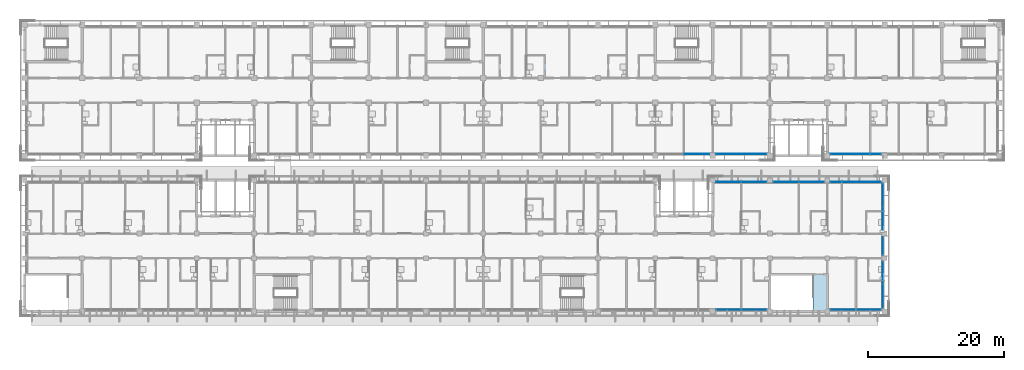
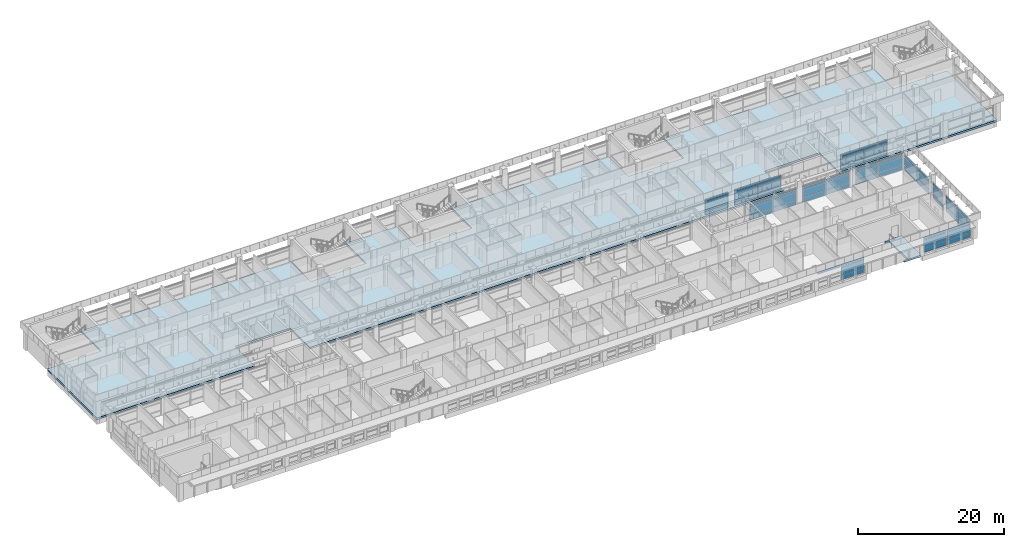
# One storey, part 24 of 71: 58 plates, 2 slabs, 11 elements without a shape of their own.
"""IFC4 building model written with IfcOpenShell, lengths in metres."""

from ifc_helpers import new_model, si_unit, direction, frame, origin, origin_2d, place, context, subcontext, project, spatial, polyline, rectangle, outline, extrude, material, layer, layer_set, type_object, element, aggregate, save


model = new_model("IFC4")

# Units and contexts
model_context = context("Model", 3, precision=1e-05, world=origin(), true_north=direction((0.0, 1.0)))
body_context = subcontext(model_context, "Body", "Model", "MODEL_VIEW")
ifc_project = project(units=[si_unit("LENGTHUNIT", "METRE"), si_unit("AREAUNIT", "SQUARE_METRE"), si_unit("VOLUMEUNIT", "CUBIC_METRE"), si_unit("PLANEANGLEUNIT", "RADIAN"), si_unit("MASSUNIT", "GRAM", prefix="KILO")], contexts=[model_context])

# Site, building, storey
site_placement = place(None, origin())
site = spatial("IfcSite", under=ifc_project, at=site_placement, CompositionType="ELEMENT")
building_placement = place(site_placement, origin())
building = spatial("IfcBuilding", under=site, at=building_placement, Name="Bougainvillea Quay General Hospital", CompositionType="ELEMENT")
storey_placement = place(building_placement, frame((0.0, 0.0, 24.89990234375)))
storey = spatial("IfcBuildingStorey", under=building, at=storey_placement, Name="L05", CompositionType="ELEMENT", Elevation=24.89990234375)

# Curtain wall, plates
ifc_material_1 = material(Name="Aluminium curtain wall system, powder-coated glazed", Category="aluminium")
curtain_wall_type_1 = type_object("IfcCurtainWallType", Name="Unitised curtain wall CW-3730", PredefinedType="NOTDEFINED", material=ifc_material_1)
curtain_wall_1_placement = place(storey_placement, origin())
curtain_wall_1 = element("IfcCurtainWall", 1, at=curtain_wall_1_placement, inside=storey, type_object=curtain_wall_type_1, Name="CW-4200 07", PredefinedType="NOTDEFINED")
ifc_material_2 = material(Name="Insulated aluminium spandrel panel, white", Category="aluminium")
ifc_layer_1 = layer(ifc_material_2, 0.028076171875)
ifc_layer_set_1 = layer_set([ifc_layer_1], Name="Insulated aluminium spandrel panel, white")
plate_type_1 = type_object("IfcPlateType", Name="Insulated spandrel panel white 28", PredefinedType="CURTAIN_PANEL", material=ifc_layer_set_1)
plate_1_placement = place(storey_placement, frame((140.449951171875, 140.64990234375, 0.06005859375), z_axis=(0.0, 0.0, 1.0), x_axis=(1.0, 0.0, 0.0)))
plate_1 = element("IfcPlate", 2, at=plate_1_placement, type_object=plate_type_1, Name="CW-4200 spandrel panel 2.1", PredefinedType="CURTAIN_PANEL", context=body_context, shape_type="SweptSolid", body=[
    extrude(rectangle(XDim=3.639892578125, YDim=0.028076171875, at=origin_2d()), origin(), (0.0, 0.0, 1.0), 0.81005859375),
])
plate_2_placement = place(storey_placement, frame((140.449951171875, 140.64990234375, 2.2802734375), z_axis=(0.0, 0.0, 1.0), x_axis=(1.0, 0.0, 0.0)))
plate_2 = element("IfcPlate", 3, at=plate_2_placement, type_object=plate_type_1, Name="CW-4200 spandrel panel 2.3", PredefinedType="CURTAIN_PANEL", context=body_context, shape_type="SweptSolid", body=[
    extrude(rectangle(XDim=3.639892578125, YDim=0.028076171875, at=origin_2d()), origin(), (0.0, 0.0, 1.0), 0.409912109375),
])

curtain_wall_2_placement = place(storey_placement, origin())
curtain_wall_2 = element("IfcCurtainWall", 4, at=curtain_wall_2_placement, inside=storey, type_object=curtain_wall_type_1, Name="CW-4200 08", PredefinedType="NOTDEFINED")
plate_3_placement = place(storey_placement, frame((145.14990234375, 140.64990234375, 0.06005859375), z_axis=(0.0, 0.0, 1.0), x_axis=(1.0, 0.0, 0.0)))
plate_3 = element("IfcPlate", 5, at=plate_3_placement, type_object=plate_type_1, Name="CW-4200 spandrel panel 1.1", PredefinedType="CURTAIN_PANEL", context=body_context, shape_type="SweptSolid", body=[
    extrude(rectangle(XDim=3.639892578125, YDim=0.028076171875, at=origin_2d()), origin(), (0.0, 0.0, 1.0), 0.81005859375),
])
plate_4_placement = place(storey_placement, frame((145.14990234375, 140.64990234375, 2.2802734375), z_axis=(0.0, 0.0, 1.0), x_axis=(1.0, 0.0, 0.0)))
plate_4 = element("IfcPlate", 6, at=plate_4_placement, type_object=plate_type_1, Name="CW-4200 spandrel panel 1.3", PredefinedType="CURTAIN_PANEL", context=body_context, shape_type="SweptSolid", body=[
    extrude(rectangle(XDim=3.639892578125, YDim=0.028076171875, at=origin_2d()), origin(), (0.0, 0.0, 1.0), 0.409912109375),
])
plate_5_placement = place(storey_placement, frame((148.85009765625, 140.64990234375, 0.06005859375), z_axis=(0.0, 0.0, 1.0), x_axis=(1.0, 0.0, 0.0)))
plate_5 = element("IfcPlate", 7, at=plate_5_placement, type_object=plate_type_1, Name="CW-4200 spandrel panel 2.1", PredefinedType="CURTAIN_PANEL", context=body_context, shape_type="SweptSolid", body=[
    extrude(rectangle(XDim=3.639892578125, YDim=0.028076171875, at=origin_2d()), origin(), (0.0, 0.0, 1.0), 0.81005859375),
])
plate_6_placement = place(storey_placement, frame((148.85009765625, 140.64990234375, 2.2802734375), z_axis=(0.0, 0.0, 1.0), x_axis=(1.0, 0.0, 0.0)))
plate_6 = element("IfcPlate", 8, at=plate_6_placement, type_object=plate_type_1, Name="CW-4200 spandrel panel 2.3", PredefinedType="CURTAIN_PANEL", context=body_context, shape_type="SweptSolid", body=[
    extrude(rectangle(XDim=3.639892578125, YDim=0.028076171875, at=origin_2d()), origin(), (0.0, 0.0, 1.0), 0.409912109375),
])

curtain_wall_3_placement = place(storey_placement, origin())
curtain_wall_3 = element("IfcCurtainWall", 9, at=curtain_wall_3_placement, inside=storey, type_object=curtain_wall_type_1, Name="CW-4200 00", PredefinedType="NOTDEFINED")
plate_7_placement = place(storey_placement, frame((161.949951171875, 140.64990234375, 0.06005859375), z_axis=(0.0, 0.0, 1.0), x_axis=(1.0, 0.0, 0.0)))
plate_7 = element("IfcPlate", 10, at=plate_7_placement, type_object=plate_type_1, Name="CW-4200 spandrel panel 1.1", PredefinedType="CURTAIN_PANEL", context=body_context, shape_type="SweptSolid", body=[
    extrude(rectangle(XDim=3.639892578125, YDim=0.028076171875, at=origin_2d()), origin(), (0.0, 0.0, 1.0), 0.81005859375),
])
plate_8_placement = place(storey_placement, frame((161.949951171875, 140.64990234375, 2.2802734375), z_axis=(0.0, 0.0, 1.0), x_axis=(1.0, 0.0, 0.0)))
plate_8 = element("IfcPlate", 11, at=plate_8_placement, type_object=plate_type_1, Name="CW-4200 spandrel panel 1.3", PredefinedType="CURTAIN_PANEL", context=body_context, shape_type="SweptSolid", body=[
    extrude(rectangle(XDim=3.639892578125, YDim=0.028076171875, at=origin_2d()), origin(), (0.0, 0.0, 1.0), 0.409912109375),
])
plate_9_placement = place(storey_placement, frame((165.64990234375, 140.64990234375, 0.06005859375), z_axis=(0.0, 0.0, 1.0), x_axis=(1.0, 0.0, 0.0)))
plate_9 = element("IfcPlate", 12, at=plate_9_placement, type_object=plate_type_1, Name="CW-4200 spandrel panel 2.1", PredefinedType="CURTAIN_PANEL", context=body_context, shape_type="SweptSolid", body=[
    extrude(rectangle(XDim=3.639892578125, YDim=0.028076171875, at=origin_2d()), origin(), (0.0, 0.0, 1.0), 0.81005859375),
])
plate_10_placement = place(storey_placement, frame((165.64990234375, 140.64990234375, 2.2802734375), z_axis=(0.0, 0.0, 1.0), x_axis=(1.0, 0.0, 0.0)))
plate_10 = element("IfcPlate", 13, at=plate_10_placement, type_object=plate_type_1, Name="CW-4200 spandrel panel 2.3", PredefinedType="CURTAIN_PANEL", context=body_context, shape_type="SweptSolid", body=[
    extrude(rectangle(XDim=3.639892578125, YDim=0.028076171875, at=origin_2d()), origin(), (0.0, 0.0, 1.0), 0.409912109375),
])

curtain_wall_4_placement = place(storey_placement, origin())
curtain_wall_4 = element("IfcCurtainWall", 14, at=curtain_wall_4_placement, inside=storey, type_object=curtain_wall_type_1, Name="CW-4200 09", PredefinedType="NOTDEFINED")
plate_11_placement = place(storey_placement, frame((145.14990234375, 117.85009765625, 2.2802734375), z_axis=(0.0, 0.0, 1.0), x_axis=(1.0, 0.0, 0.0)))
plate_11 = element("IfcPlate", 15, at=plate_11_placement, type_object=plate_type_1, Name="CW-4200 spandrel panel 1.3", PredefinedType="CURTAIN_PANEL", context=body_context, shape_type="SweptSolid", body=[
    extrude(rectangle(XDim=3.639892578125, YDim=0.028076171875, at=origin_2d()), origin(), (0.0, 0.0, 1.0), 0.409912109375),
])
plate_12_placement = place(storey_placement, frame((148.85009765625, 117.85009765625, 0.06005859375), z_axis=(0.0, 0.0, 1.0), x_axis=(1.0, 0.0, 0.0)))
plate_12 = element("IfcPlate", 16, at=plate_12_placement, type_object=plate_type_1, Name="CW-4200 spandrel panel 2.1", PredefinedType="CURTAIN_PANEL", context=body_context, shape_type="SweptSolid", body=[
    extrude(rectangle(XDim=3.639892578125, YDim=0.028076171875, at=origin_2d()), origin(), (0.0, 0.0, 1.0), 0.81005859375),
])
plate_13_placement = place(storey_placement, frame((148.85009765625, 117.85009765625, 2.2802734375), z_axis=(0.0, 0.0, 1.0), x_axis=(1.0, 0.0, 0.0)))
plate_13 = element("IfcPlate", 17, at=plate_13_placement, type_object=plate_type_1, Name="CW-4200 spandrel panel 2.3", PredefinedType="CURTAIN_PANEL", context=body_context, shape_type="SweptSolid", body=[
    extrude(rectangle(XDim=3.639892578125, YDim=0.028076171875, at=origin_2d()), origin(), (0.0, 0.0, 1.0), 0.409912109375),
])

curtain_wall_5_placement = place(storey_placement, origin())
curtain_wall_5 = element("IfcCurtainWall", 18, at=curtain_wall_5_placement, inside=storey, type_object=curtain_wall_type_1, Name="CW-4200 10", PredefinedType="NOTDEFINED")
plate_14_placement = place(storey_placement, frame((161.949951171875, 117.85009765625, 0.06005859375), z_axis=(0.0, 0.0, 1.0), x_axis=(1.0, 0.0, 0.0)))
plate_14 = element("IfcPlate", 19, at=plate_14_placement, type_object=plate_type_1, Name="CW-4200 spandrel panel 1.1", PredefinedType="CURTAIN_PANEL", context=body_context, shape_type="SweptSolid", body=[
    extrude(rectangle(XDim=3.639892578125, YDim=0.028076171875, at=origin_2d()), origin(), (0.0, 0.0, 1.0), 0.81005859375),
])
plate_15_placement = place(storey_placement, frame((161.949951171875, 117.85009765625, 2.2802734375), z_axis=(0.0, 0.0, 1.0), x_axis=(1.0, 0.0, 0.0)))
plate_15 = element("IfcPlate", 20, at=plate_15_placement, type_object=plate_type_1, Name="CW-4200 spandrel panel 1.3", PredefinedType="CURTAIN_PANEL", context=body_context, shape_type="SweptSolid", body=[
    extrude(rectangle(XDim=3.639892578125, YDim=0.028076171875, at=origin_2d()), origin(), (0.0, 0.0, 1.0), 0.409912109375),
])
plate_16_placement = place(storey_placement, frame((165.64990234375, 117.85009765625, 0.06005859375), z_axis=(0.0, 0.0, 1.0), x_axis=(1.0, 0.0, 0.0)))
plate_16 = element("IfcPlate", 21, at=plate_16_placement, type_object=plate_type_1, Name="CW-4200 spandrel panel 2.1", PredefinedType="CURTAIN_PANEL", context=body_context, shape_type="SweptSolid", body=[
    extrude(rectangle(XDim=3.639892578125, YDim=0.028076171875, at=origin_2d()), origin(), (0.0, 0.0, 1.0), 0.81005859375),
])
plate_17_placement = place(storey_placement, frame((165.64990234375, 117.85009765625, 2.2802734375), z_axis=(0.0, 0.0, 1.0), x_axis=(1.0, 0.0, 0.0)))
plate_17 = element("IfcPlate", 22, at=plate_17_placement, type_object=plate_type_1, Name="CW-4200 spandrel panel 2.3", PredefinedType="CURTAIN_PANEL", context=body_context, shape_type="SweptSolid", body=[
    extrude(rectangle(XDim=3.639892578125, YDim=0.028076171875, at=origin_2d()), origin(), (0.0, 0.0, 1.0), 0.409912109375),
])

curtain_wall_type_2 = type_object("IfcCurtainWallType", Name="Unitised curtain wall CW-3430", PredefinedType="NOTDEFINED", material=ifc_material_1)
curtain_wall_6_placement = place(storey_placement, origin())
curtain_wall_6 = element("IfcCurtainWall", 23, at=curtain_wall_6_placement, inside=storey, type_object=curtain_wall_type_2, Name="CW-4200 00", PredefinedType="NOTDEFINED")
plate_18_placement = place(storey_placement, frame((167.75, 119.800048828125, 0.06005859375), z_axis=(0.0, 0.0, 1.0), x_axis=(0.0, 1.0, 0.0)))
plate_18 = element("IfcPlate", 24, at=plate_18_placement, type_object=plate_type_1, Name="CW-4200 spandrel panel 1.1", PredefinedType="CURTAIN_PANEL", context=body_context, shape_type="SweptSolid", body=[
    extrude(rectangle(XDim=3.340087890625, YDim=0.028076171875, at=origin_2d()), origin(), (0.0, 0.0, 1.0), 0.81005859375),
])
plate_19_placement = place(storey_placement, frame((167.75, 119.800048828125, 2.2802734375), z_axis=(0.0, 0.0, 1.0), x_axis=(0.0, 1.0, 0.0)))
plate_19 = element("IfcPlate", 25, at=plate_19_placement, type_object=plate_type_1, Name="CW-4200 spandrel panel 1.3", PredefinedType="CURTAIN_PANEL", context=body_context, shape_type="SweptSolid", body=[
    extrude(rectangle(XDim=3.340087890625, YDim=0.028076171875, at=origin_2d()), origin(), (0.0, 0.0, 1.0), 0.409912109375),
])
plate_20_placement = place(storey_placement, frame((167.75, 123.199951171875, 0.06005859375), z_axis=(0.0, 0.0, 1.0), x_axis=(0.0, 1.0, 0.0)))
plate_20 = element("IfcPlate", 26, at=plate_20_placement, type_object=plate_type_1, Name="CW-4200 spandrel panel 2.1", PredefinedType="CURTAIN_PANEL", context=body_context, shape_type="SweptSolid", body=[
    extrude(rectangle(XDim=3.340087890625, YDim=0.028076171875, at=origin_2d()), origin(), (0.0, 0.0, 1.0), 0.81005859375),
])
plate_21_placement = place(storey_placement, frame((167.75, 123.199951171875, 2.2802734375), z_axis=(0.0, 0.0, 1.0), x_axis=(0.0, 1.0, 0.0)))
plate_21 = element("IfcPlate", 27, at=plate_21_placement, type_object=plate_type_1, Name="CW-4200 spandrel panel 2.3", PredefinedType="CURTAIN_PANEL", context=body_context, shape_type="SweptSolid", body=[
    extrude(rectangle(XDim=3.340087890625, YDim=0.028076171875, at=origin_2d()), origin(), (0.0, 0.0, 1.0), 0.409912109375),
])

curtain_wall_type_3 = type_object("IfcCurtainWallType", Name="Unitised curtain wall CW-2660", PredefinedType="NOTDEFINED", material=ifc_material_1)
curtain_wall_7_placement = place(storey_placement, origin())
curtain_wall_7 = element("IfcCurtainWall", 28, at=curtain_wall_7_placement, inside=storey, type_object=curtain_wall_type_3, Name="CW-4200 01", PredefinedType="NOTDEFINED")
plate_22_placement = place(storey_placement, frame((167.75, 127.199951171875, 0.06005859375), z_axis=(0.0, 0.0, 1.0), x_axis=(0.0, 1.0, 0.0)))
plate_22 = element("IfcPlate", 29, at=plate_22_placement, type_object=plate_type_1, Name="CW-4200 spandrel panel 1.1", PredefinedType="CURTAIN_PANEL", context=body_context, shape_type="SweptSolid", body=[
    extrude(rectangle(XDim=2.5400390625, YDim=0.028076171875, at=origin_2d()), origin(), (0.0, 0.0, 1.0), 0.81005859375),
])
plate_23_placement = place(storey_placement, frame((167.75, 127.199951171875, 2.2802734375), z_axis=(0.0, 0.0, 1.0), x_axis=(0.0, 1.0, 0.0)))
plate_23 = element("IfcPlate", 30, at=plate_23_placement, type_object=plate_type_1, Name="CW-4200 spandrel panel 1.3", PredefinedType="CURTAIN_PANEL", context=body_context, shape_type="SweptSolid", body=[
    extrude(rectangle(XDim=2.5400390625, YDim=0.028076171875, at=origin_2d()), origin(), (0.0, 0.0, 1.0), 0.409912109375),
])

curtain_wall_8_placement = place(storey_placement, origin())
curtain_wall_8 = element("IfcCurtainWall", 31, at=curtain_wall_8_placement, inside=storey, type_object=curtain_wall_type_2, Name="CW-4200 02", PredefinedType="NOTDEFINED")
plate_24_placement = place(storey_placement, frame((167.75, 131.199951171875, 0.06005859375), z_axis=(0.0, 0.0, 1.0), x_axis=(0.0, 1.0, 0.0)))
plate_24 = element("IfcPlate", 32, at=plate_24_placement, type_object=plate_type_1, Name="CW-4200 spandrel panel 1.1", PredefinedType="CURTAIN_PANEL", context=body_context, shape_type="SweptSolid", body=[
    extrude(rectangle(XDim=3.340087890625, YDim=0.028076171875, at=origin_2d()), origin(), (0.0, 0.0, 1.0), 0.81005859375),
])
plate_25_placement = place(storey_placement, frame((167.75, 131.199951171875, 2.2802734375), z_axis=(0.0, 0.0, 1.0), x_axis=(0.0, 1.0, 0.0)))
plate_25 = element("IfcPlate", 33, at=plate_25_placement, type_object=plate_type_1, Name="CW-4200 spandrel panel 1.3", PredefinedType="CURTAIN_PANEL", context=body_context, shape_type="SweptSolid", body=[
    extrude(rectangle(XDim=3.340087890625, YDim=0.028076171875, at=origin_2d()), origin(), (0.0, 0.0, 1.0), 0.409912109375),
])
plate_26_placement = place(storey_placement, frame((167.75, 134.60009765625, 0.06005859375), z_axis=(0.0, 0.0, 1.0), x_axis=(0.0, 1.0, 0.0)))
plate_26 = element("IfcPlate", 34, at=plate_26_placement, type_object=plate_type_1, Name="CW-4200 spandrel panel 2.1", PredefinedType="CURTAIN_PANEL", context=body_context, shape_type="SweptSolid", body=[
    extrude(rectangle(XDim=3.340087890625, YDim=0.028076171875, at=origin_2d()), origin(), (0.0, 0.0, 1.0), 0.81005859375),
])
plate_27_placement = place(storey_placement, frame((167.75, 134.60009765625, 2.2802734375), z_axis=(0.0, 0.0, 1.0), x_axis=(0.0, 1.0, 0.0)))
plate_27 = element("IfcPlate", 35, at=plate_27_placement, type_object=plate_type_1, Name="CW-4200 spandrel panel 2.3", PredefinedType="CURTAIN_PANEL", context=body_context, shape_type="SweptSolid", body=[
    extrude(rectangle(XDim=3.340087890625, YDim=0.028076171875, at=origin_2d()), origin(), (0.0, 0.0, 1.0), 0.409912109375),
])

curtain_wall_9_placement = place(storey_placement, origin())
curtain_wall_9 = element("IfcCurtainWall", 36, at=curtain_wall_9_placement, inside=storey, type_object=curtain_wall_type_1, Name="CW-4200 00", PredefinedType="NOTDEFINED")
plate_28_placement = place(storey_placement, frame((165.64990234375, 136.550048828125, 0.06005859375), z_axis=(0.0, 0.0, 1.0), x_axis=(-1.0, 0.0, 0.0)))
plate_28 = element("IfcPlate", 37, at=plate_28_placement, type_object=plate_type_1, Name="CW-4200 spandrel panel 1.1", PredefinedType="CURTAIN_PANEL", context=body_context, shape_type="SweptSolid", body=[
    extrude(rectangle(XDim=3.639892578125, YDim=0.028076171875, at=origin_2d()), origin(), (0.0, 0.0, 1.0), 0.81005859375),
])
plate_29_placement = place(storey_placement, frame((165.64990234375, 136.550048828125, 2.2802734375), z_axis=(0.0, 0.0, 1.0), x_axis=(-1.0, 0.0, 0.0)))
plate_29 = element("IfcPlate", 38, at=plate_29_placement, type_object=plate_type_1, Name="CW-4200 spandrel panel 1.3", PredefinedType="CURTAIN_PANEL", context=body_context, shape_type="SweptSolid", body=[
    extrude(rectangle(XDim=3.639892578125, YDim=0.028076171875, at=origin_2d()), origin(), (0.0, 0.0, 1.0), 0.409912109375),
])
plate_30_placement = place(storey_placement, frame((161.949951171875, 136.550048828125, 0.06005859375), z_axis=(0.0, 0.0, 1.0), x_axis=(-1.0, 0.0, 0.0)))
plate_30 = element("IfcPlate", 39, at=plate_30_placement, type_object=plate_type_1, Name="CW-4200 spandrel panel 2.1", PredefinedType="CURTAIN_PANEL", context=body_context, shape_type="SweptSolid", body=[
    extrude(rectangle(XDim=3.639892578125, YDim=0.028076171875, at=origin_2d()), origin(), (0.0, 0.0, 1.0), 0.81005859375),
])
plate_31_placement = place(storey_placement, frame((161.949951171875, 136.550048828125, 2.2802734375), z_axis=(0.0, 0.0, 1.0), x_axis=(-1.0, 0.0, 0.0)))
plate_31 = element("IfcPlate", 40, at=plate_31_placement, type_object=plate_type_1, Name="CW-4200 spandrel panel 2.3", PredefinedType="CURTAIN_PANEL", context=body_context, shape_type="SweptSolid", body=[
    extrude(rectangle(XDim=3.639892578125, YDim=0.028076171875, at=origin_2d()), origin(), (0.0, 0.0, 1.0), 0.409912109375),
])

curtain_wall_10_placement = place(storey_placement, origin())
curtain_wall_10 = element("IfcCurtainWall", 41, at=curtain_wall_10_placement, inside=storey, type_object=curtain_wall_type_1, Name="CW-4200 01", PredefinedType="NOTDEFINED")
plate_32_placement = place(storey_placement, frame((157.25, 136.550048828125, 0.06005859375), z_axis=(0.0, 0.0, 1.0), x_axis=(-1.0, 0.0, 0.0)))
plate_32 = element("IfcPlate", 42, at=plate_32_placement, type_object=plate_type_1, Name="CW-4200 spandrel panel 1.1", PredefinedType="CURTAIN_PANEL", context=body_context, shape_type="SweptSolid", body=[
    extrude(rectangle(XDim=3.639892578125, YDim=0.028076171875, at=origin_2d()), origin(), (0.0, 0.0, 1.0), 0.81005859375),
])
plate_33_placement = place(storey_placement, frame((157.25, 136.550048828125, 2.2802734375), z_axis=(0.0, 0.0, 1.0), x_axis=(-1.0, 0.0, 0.0)))
plate_33 = element("IfcPlate", 43, at=plate_33_placement, type_object=plate_type_1, Name="CW-4200 spandrel panel 1.3", PredefinedType="CURTAIN_PANEL", context=body_context, shape_type="SweptSolid", body=[
    extrude(rectangle(XDim=3.639892578125, YDim=0.028076171875, at=origin_2d()), origin(), (0.0, 0.0, 1.0), 0.409912109375),
])
plate_34_placement = place(storey_placement, frame((153.550048828125, 136.550048828125, 0.06005859375), z_axis=(0.0, 0.0, 1.0), x_axis=(-1.0, 0.0, 0.0)))
plate_34 = element("IfcPlate", 44, at=plate_34_placement, type_object=plate_type_1, Name="CW-4200 spandrel panel 2.1", PredefinedType="CURTAIN_PANEL", context=body_context, shape_type="SweptSolid", body=[
    extrude(rectangle(XDim=3.639892578125, YDim=0.028076171875, at=origin_2d()), origin(), (0.0, 0.0, 1.0), 0.81005859375),
])
plate_35_placement = place(storey_placement, frame((153.550048828125, 136.550048828125, 2.2802734375), z_axis=(0.0, 0.0, 1.0), x_axis=(-1.0, 0.0, 0.0)))
plate_35 = element("IfcPlate", 45, at=plate_35_placement, type_object=plate_type_1, Name="CW-4200 spandrel panel 2.3", PredefinedType="CURTAIN_PANEL", context=body_context, shape_type="SweptSolid", body=[
    extrude(rectangle(XDim=3.639892578125, YDim=0.028076171875, at=origin_2d()), origin(), (0.0, 0.0, 1.0), 0.409912109375),
])

curtain_wall_11_placement = place(storey_placement, origin())
curtain_wall_11 = element("IfcCurtainWall", 46, at=curtain_wall_11_placement, inside=storey, type_object=curtain_wall_type_1, Name="CW-4200 02", PredefinedType="NOTDEFINED")
plate_36_placement = place(storey_placement, frame((148.85009765625, 136.550048828125, 0.06005859375), z_axis=(0.0, 0.0, 1.0), x_axis=(-1.0, 0.0, 0.0)))
plate_36 = element("IfcPlate", 47, at=plate_36_placement, type_object=plate_type_1, Name="CW-4200 spandrel panel 1.1", PredefinedType="CURTAIN_PANEL", context=body_context, shape_type="SweptSolid", body=[
    extrude(rectangle(XDim=3.639892578125, YDim=0.028076171875, at=origin_2d()), origin(), (0.0, 0.0, 1.0), 0.81005859375),
])
plate_37_placement = place(storey_placement, frame((148.85009765625, 136.550048828125, 2.2802734375), z_axis=(0.0, 0.0, 1.0), x_axis=(-1.0, 0.0, 0.0)))
plate_37 = element("IfcPlate", 48, at=plate_37_placement, type_object=plate_type_1, Name="CW-4200 spandrel panel 1.3", PredefinedType="CURTAIN_PANEL", context=body_context, shape_type="SweptSolid", body=[
    extrude(rectangle(XDim=3.639892578125, YDim=0.028076171875, at=origin_2d()), origin(), (0.0, 0.0, 1.0), 0.409912109375),
])
plate_38_placement = place(storey_placement, frame((145.14990234375, 136.550048828125, 0.06005859375), z_axis=(0.0, 0.0, 1.0), x_axis=(-1.0, 0.0, 0.0)))
plate_38 = element("IfcPlate", 49, at=plate_38_placement, type_object=plate_type_1, Name="CW-4200 spandrel panel 2.1", PredefinedType="CURTAIN_PANEL", context=body_context, shape_type="SweptSolid", body=[
    extrude(rectangle(XDim=3.639892578125, YDim=0.028076171875, at=origin_2d()), origin(), (0.0, 0.0, 1.0), 0.81005859375),
])
plate_39_placement = place(storey_placement, frame((145.14990234375, 136.550048828125, 2.2802734375), z_axis=(0.0, 0.0, 1.0), x_axis=(-1.0, 0.0, 0.0)))
plate_39 = element("IfcPlate", 50, at=plate_39_placement, type_object=plate_type_1, Name="CW-4200 spandrel panel 2.3", PredefinedType="CURTAIN_PANEL", context=body_context, shape_type="SweptSolid", body=[
    extrude(rectangle(XDim=3.639892578125, YDim=0.028076171875, at=origin_2d()), origin(), (0.0, 0.0, 1.0), 0.409912109375),
])

# Plate
ifc_material_3 = material(Name="Low-e laminated glass, solar control", Category="glass")
ifc_layer_2 = layer(ifc_material_3, 0.028076171875)
ifc_layer_set_2 = layer_set([ifc_layer_2], Name="Low-e laminated glass, solar control")
plate_type_2 = type_object("IfcPlateType", Name="Low-e laminated vision glass 28", PredefinedType="CURTAIN_PANEL", material=ifc_layer_set_2)
plate_40_placement = place(storey_placement, frame((140.449951171875, 140.64990234375, 0.93017578125), z_axis=(0.0, 0.0, 1.0), x_axis=(1.0, 0.0, 0.0)))
plate_40 = element("IfcPlate", 51, at=plate_40_placement, type_object=plate_type_2, Name="CW-4200 vision glass panel 2.2", PredefinedType="CURTAIN_PANEL", context=body_context, shape_type="SweptSolid", body=[
    extrude(rectangle(XDim=3.639892578125, YDim=0.028076171875, at=origin_2d()), origin(), (0.0, 0.0, 1.0), 1.2900390625),
])

aggregate(curtain_wall_1, [plate_1, plate_40, plate_2])

plate_41_placement = place(storey_placement, frame((145.14990234375, 140.64990234375, 0.93017578125), z_axis=(0.0, 0.0, 1.0), x_axis=(1.0, 0.0, 0.0)))
plate_41 = element("IfcPlate", 52, at=plate_41_placement, type_object=plate_type_2, Name="CW-4200 vision glass panel 1.2", PredefinedType="CURTAIN_PANEL", context=body_context, shape_type="SweptSolid", body=[
    extrude(rectangle(XDim=3.639892578125, YDim=0.028076171875, at=origin_2d()), origin(), (0.0, 0.0, 1.0), 1.2900390625),
])

plate_42_placement = place(storey_placement, frame((148.85009765625, 140.64990234375, 0.93017578125), z_axis=(0.0, 0.0, 1.0), x_axis=(1.0, 0.0, 0.0)))
plate_42 = element("IfcPlate", 53, at=plate_42_placement, type_object=plate_type_2, Name="CW-4200 vision glass panel 2.2", PredefinedType="CURTAIN_PANEL", context=body_context, shape_type="SweptSolid", body=[
    extrude(rectangle(XDim=3.639892578125, YDim=0.028076171875, at=origin_2d()), origin(), (0.0, 0.0, 1.0), 1.2900390625),
])

aggregate(curtain_wall_2, [plate_3, plate_41, plate_4, plate_5, plate_42, plate_6])

plate_43_placement = place(storey_placement, frame((161.949951171875, 140.64990234375, 0.93017578125), z_axis=(0.0, 0.0, 1.0), x_axis=(1.0, 0.0, 0.0)))
plate_43 = element("IfcPlate", 54, at=plate_43_placement, type_object=plate_type_2, Name="CW-4200 vision glass panel 1.2", PredefinedType="CURTAIN_PANEL", context=body_context, shape_type="SweptSolid", body=[
    extrude(rectangle(XDim=3.639892578125, YDim=0.028076171875, at=origin_2d()), origin(), (0.0, 0.0, 1.0), 1.2900390625),
])

plate_44_placement = place(storey_placement, frame((165.64990234375, 140.64990234375, 0.93017578125), z_axis=(0.0, 0.0, 1.0), x_axis=(1.0, 0.0, 0.0)))
plate_44 = element("IfcPlate", 55, at=plate_44_placement, type_object=plate_type_2, Name="CW-4200 vision glass panel 2.2", PredefinedType="CURTAIN_PANEL", context=body_context, shape_type="SweptSolid", body=[
    extrude(rectangle(XDim=3.639892578125, YDim=0.028076171875, at=origin_2d()), origin(), (0.0, 0.0, 1.0), 1.2900390625),
])

aggregate(curtain_wall_3, [plate_7, plate_43, plate_8, plate_9, plate_44, plate_10])

plate_45_placement = place(storey_placement, frame((148.85009765625, 117.85009765625, 0.93017578125), z_axis=(0.0, 0.0, 1.0), x_axis=(1.0, 0.0, 0.0)))
plate_45 = element("IfcPlate", 56, at=plate_45_placement, type_object=plate_type_2, Name="CW-4200 vision glass panel 2.2", PredefinedType="CURTAIN_PANEL", context=body_context, shape_type="SweptSolid", body=[
    extrude(rectangle(XDim=3.639892578125, YDim=0.028076171875, at=origin_2d()), origin(), (0.0, 0.0, 1.0), 1.2900390625),
])

aggregate(curtain_wall_4, [plate_11, plate_12, plate_45, plate_13])

plate_46_placement = place(storey_placement, frame((161.949951171875, 117.85009765625, 0.93017578125), z_axis=(0.0, 0.0, 1.0), x_axis=(1.0, 0.0, 0.0)))
plate_46 = element("IfcPlate", 57, at=plate_46_placement, type_object=plate_type_2, Name="CW-4200 vision glass panel 1.2", PredefinedType="CURTAIN_PANEL", context=body_context, shape_type="SweptSolid", body=[
    extrude(rectangle(XDim=3.639892578125, YDim=0.028076171875, at=origin_2d()), origin(), (0.0, 0.0, 1.0), 1.2900390625),
])

plate_47_placement = place(storey_placement, frame((165.64990234375, 117.85009765625, 0.93017578125), z_axis=(0.0, 0.0, 1.0), x_axis=(1.0, 0.0, 0.0)))
plate_47 = element("IfcPlate", 58, at=plate_47_placement, type_object=plate_type_2, Name="CW-4200 vision glass panel 2.2", PredefinedType="CURTAIN_PANEL", context=body_context, shape_type="SweptSolid", body=[
    extrude(rectangle(XDim=3.639892578125, YDim=0.028076171875, at=origin_2d()), origin(), (0.0, 0.0, 1.0), 1.2900390625),
])

aggregate(curtain_wall_5, [plate_14, plate_46, plate_15, plate_16, plate_47, plate_17])

plate_48_placement = place(storey_placement, frame((167.75, 119.800048828125, 0.93017578125), z_axis=(0.0, 0.0, 1.0), x_axis=(0.0, 1.0, 0.0)))
plate_48 = element("IfcPlate", 59, at=plate_48_placement, type_object=plate_type_2, Name="CW-4200 vision glass panel 1.2", PredefinedType="CURTAIN_PANEL", context=body_context, shape_type="SweptSolid", body=[
    extrude(rectangle(XDim=3.340087890625, YDim=0.028076171875, at=origin_2d()), origin(), (0.0, 0.0, 1.0), 1.2900390625),
])

plate_49_placement = place(storey_placement, frame((167.75, 123.199951171875, 0.93017578125), z_axis=(0.0, 0.0, 1.0), x_axis=(0.0, 1.0, 0.0)))
plate_49 = element("IfcPlate", 60, at=plate_49_placement, type_object=plate_type_2, Name="CW-4200 vision glass panel 2.2", PredefinedType="CURTAIN_PANEL", context=body_context, shape_type="SweptSolid", body=[
    extrude(rectangle(XDim=3.340087890625, YDim=0.028076171875, at=origin_2d()), origin(), (0.0, 0.0, 1.0), 1.2900390625),
])

aggregate(curtain_wall_6, [plate_18, plate_48, plate_19, plate_20, plate_49, plate_21])

plate_50_placement = place(storey_placement, frame((167.75, 127.199951171875, 0.93017578125), z_axis=(0.0, 0.0, 1.0), x_axis=(0.0, 1.0, 0.0)))
plate_50 = element("IfcPlate", 61, at=plate_50_placement, type_object=plate_type_2, Name="CW-4200 vision glass panel 1.2", PredefinedType="CURTAIN_PANEL", context=body_context, shape_type="SweptSolid", body=[
    extrude(rectangle(XDim=2.5400390625, YDim=0.028076171875, at=origin_2d()), origin(), (0.0, 0.0, 1.0), 1.2900390625),
])

aggregate(curtain_wall_7, [plate_22, plate_50, plate_23])

plate_51_placement = place(storey_placement, frame((167.75, 131.199951171875, 0.93017578125), z_axis=(0.0, 0.0, 1.0), x_axis=(0.0, 1.0, 0.0)))
plate_51 = element("IfcPlate", 62, at=plate_51_placement, type_object=plate_type_2, Name="CW-4200 vision glass panel 1.2", PredefinedType="CURTAIN_PANEL", context=body_context, shape_type="SweptSolid", body=[
    extrude(rectangle(XDim=3.340087890625, YDim=0.028076171875, at=origin_2d()), origin(), (0.0, 0.0, 1.0), 1.2900390625),
])

plate_52_placement = place(storey_placement, frame((167.75, 134.60009765625, 0.93017578125), z_axis=(0.0, 0.0, 1.0), x_axis=(0.0, 1.0, 0.0)))
plate_52 = element("IfcPlate", 63, at=plate_52_placement, type_object=plate_type_2, Name="CW-4200 vision glass panel 2.2", PredefinedType="CURTAIN_PANEL", context=body_context, shape_type="SweptSolid", body=[
    extrude(rectangle(XDim=3.340087890625, YDim=0.028076171875, at=origin_2d()), origin(), (0.0, 0.0, 1.0), 1.2900390625),
])

aggregate(curtain_wall_8, [plate_24, plate_51, plate_25, plate_26, plate_52, plate_27])

plate_53_placement = place(storey_placement, frame((165.64990234375, 136.550048828125, 0.93017578125), z_axis=(0.0, 0.0, 1.0), x_axis=(-1.0, 0.0, 0.0)))
plate_53 = element("IfcPlate", 64, at=plate_53_placement, type_object=plate_type_2, Name="CW-4200 vision glass panel 1.2", PredefinedType="CURTAIN_PANEL", context=body_context, shape_type="SweptSolid", body=[
    extrude(rectangle(XDim=3.639892578125, YDim=0.028076171875, at=origin_2d()), origin(), (0.0, 0.0, 1.0), 1.2900390625),
])

plate_54_placement = place(storey_placement, frame((161.949951171875, 136.550048828125, 0.93017578125), z_axis=(0.0, 0.0, 1.0), x_axis=(-1.0, 0.0, 0.0)))
plate_54 = element("IfcPlate", 65, at=plate_54_placement, type_object=plate_type_2, Name="CW-4200 vision glass panel 2.2", PredefinedType="CURTAIN_PANEL", context=body_context, shape_type="SweptSolid", body=[
    extrude(rectangle(XDim=3.639892578125, YDim=0.028076171875, at=origin_2d()), origin(), (0.0, 0.0, 1.0), 1.2900390625),
])

aggregate(curtain_wall_9, [plate_28, plate_53, plate_29, plate_30, plate_54, plate_31])

plate_55_placement = place(storey_placement, frame((157.25, 136.550048828125, 0.93017578125), z_axis=(0.0, 0.0, 1.0), x_axis=(-1.0, 0.0, 0.0)))
plate_55 = element("IfcPlate", 66, at=plate_55_placement, type_object=plate_type_2, Name="CW-4200 vision glass panel 1.2", PredefinedType="CURTAIN_PANEL", context=body_context, shape_type="SweptSolid", body=[
    extrude(rectangle(XDim=3.639892578125, YDim=0.028076171875, at=origin_2d()), origin(), (0.0, 0.0, 1.0), 1.2900390625),
])

plate_56_placement = place(storey_placement, frame((153.550048828125, 136.550048828125, 0.93017578125), z_axis=(0.0, 0.0, 1.0), x_axis=(-1.0, 0.0, 0.0)))
plate_56 = element("IfcPlate", 67, at=plate_56_placement, type_object=plate_type_2, Name="CW-4200 vision glass panel 2.2", PredefinedType="CURTAIN_PANEL", context=body_context, shape_type="SweptSolid", body=[
    extrude(rectangle(XDim=3.639892578125, YDim=0.028076171875, at=origin_2d()), origin(), (0.0, 0.0, 1.0), 1.2900390625),
])

aggregate(curtain_wall_10, [plate_32, plate_55, plate_33, plate_34, plate_56, plate_35])

plate_57_placement = place(storey_placement, frame((148.85009765625, 136.550048828125, 0.93017578125), z_axis=(0.0, 0.0, 1.0), x_axis=(-1.0, 0.0, 0.0)))
plate_57 = element("IfcPlate", 68, at=plate_57_placement, type_object=plate_type_2, Name="CW-4200 vision glass panel 1.2", PredefinedType="CURTAIN_PANEL", context=body_context, shape_type="SweptSolid", body=[
    extrude(rectangle(XDim=3.639892578125, YDim=0.028076171875, at=origin_2d()), origin(), (0.0, 0.0, 1.0), 1.2900390625),
])

plate_58_placement = place(storey_placement, frame((145.14990234375, 136.550048828125, 0.93017578125), z_axis=(0.0, 0.0, 1.0), x_axis=(-1.0, 0.0, 0.0)))
plate_58 = element("IfcPlate", 69, at=plate_58_placement, type_object=plate_type_2, Name="CW-4200 vision glass panel 2.2", PredefinedType="CURTAIN_PANEL", context=body_context, shape_type="SweptSolid", body=[
    extrude(rectangle(XDim=3.639892578125, YDim=0.028076171875, at=origin_2d()), origin(), (0.0, 0.0, 1.0), 1.2900390625),
])

aggregate(curtain_wall_11, [plate_36, plate_57, plate_37, plate_38, plate_58, plate_39])

# Slabs
ifc_material_4 = material(Name="Concrete C35", Category="concrete")
ifc_layer_3 = layer(ifc_material_4, 0.300048828125)
ifc_layer_set_3 = layer_set([ifc_layer_3], Name="Concrete C35")
slab_type = type_object("IfcSlabType", Name="RC FLAT SLAB 300 C35", PredefinedType="FLOOR", material=ifc_layer_set_3)
slab_1_placement = place(storey_placement, frame((0.0, 0.0, -0.2998046875)))
element("IfcSlab", 70, at=slab_1_placement, inside=storey, type_object=slab_type, Name="Slab S3 L05", PredefinedType="FLOOR", context=body_context, shape_type="SweptSolid", body=[
    extrude(outline(polyline([(184.800048828125, 140.39990234375), (184.800048828125, 154.02490234375), (184.625, 154.02490234375), (176.574951171875, 154.02490234375), (176.22509765625, 154.02490234375), (176.22509765625, 159.425048828125), (176.22509765625, 159.60009765625), (142.97509765625, 159.60009765625), (142.97509765625, 154.02490234375), (142.625, 154.02490234375), (134.574951171875, 154.02490234375), (134.22509765625, 154.02490234375), (134.22509765625, 159.425048828125), (134.22509765625, 159.60009765625), (109.375, 159.60009765625), (109.375, 154.02490234375), (109.02490234375, 154.02490234375), (100.97509765625, 154.02490234375), (100.625, 154.02490234375), (100.625, 159.425048828125), (100.625, 159.60009765625), (92.574951171875, 159.60009765625), (92.574951171875, 154.02490234375), (92.22509765625, 154.02490234375), (84.175048828125, 154.02490234375), (83.824951171875, 154.02490234375), (83.824951171875, 159.425048828125), (83.824951171875, 159.60009765625), (50.574951171875, 159.60009765625), (50.574951171875, 154.02490234375), (50.22509765625, 154.02490234375), (42.175048828125, 154.02490234375), (42.0, 154.02490234375), (42.0, 140.39990234375), (67.02490234375, 140.39990234375), (67.02490234375, 145.425048828125), (67.02490234375, 145.77490234375), (70.0, 145.77490234375), (72.800048828125, 145.77490234375), (75.425048828125, 145.77490234375), (75.77490234375, 145.77490234375), (75.77490234375, 140.39990234375), (151.02490234375, 140.39990234375), (151.02490234375, 145.425048828125), (151.02490234375, 145.77490234375), (154.0, 145.77490234375), (156.800048828125, 145.77490234375), (159.425048828125, 145.77490234375), (159.77490234375, 145.77490234375), (159.77490234375, 140.39990234375), (184.800048828125, 140.39990234375)])), origin(), (0.0, 0.0, 1.0), 0.2998046875),
])
slab_2_placement = place(storey_placement, frame((0.0, 0.0, -0.2998046875)))
element("IfcSlab", 71, at=slab_2_placement, inside=storey, type_object=slab_type, Name="Stair landing floor ST-B4 L05", PredefinedType="FLOOR", context=body_context, shape_type="SweptSolid", body=[
    extrude(outline(polyline([(156.90283203125, 122.8837890625), (156.91162109375, 122.942138671875), (156.926025390625, 122.99951171875), (159.60009765625, 123.0), (159.60009765625, 117.60009765625), (156.926025390625, 117.600341796875), (156.91162109375, 117.657958984375), (156.90283203125, 117.71630859375), (156.89990234375, 117.77392578125), (157.500732421875, 117.7744140625), (157.500732421875, 122.82568359375), (156.89990234375, 122.825927734375), (156.90283203125, 122.8837890625)])), origin(), (0.0, 0.0, 1.0), 0.2998046875),
])

save(model, "model.ifc")
